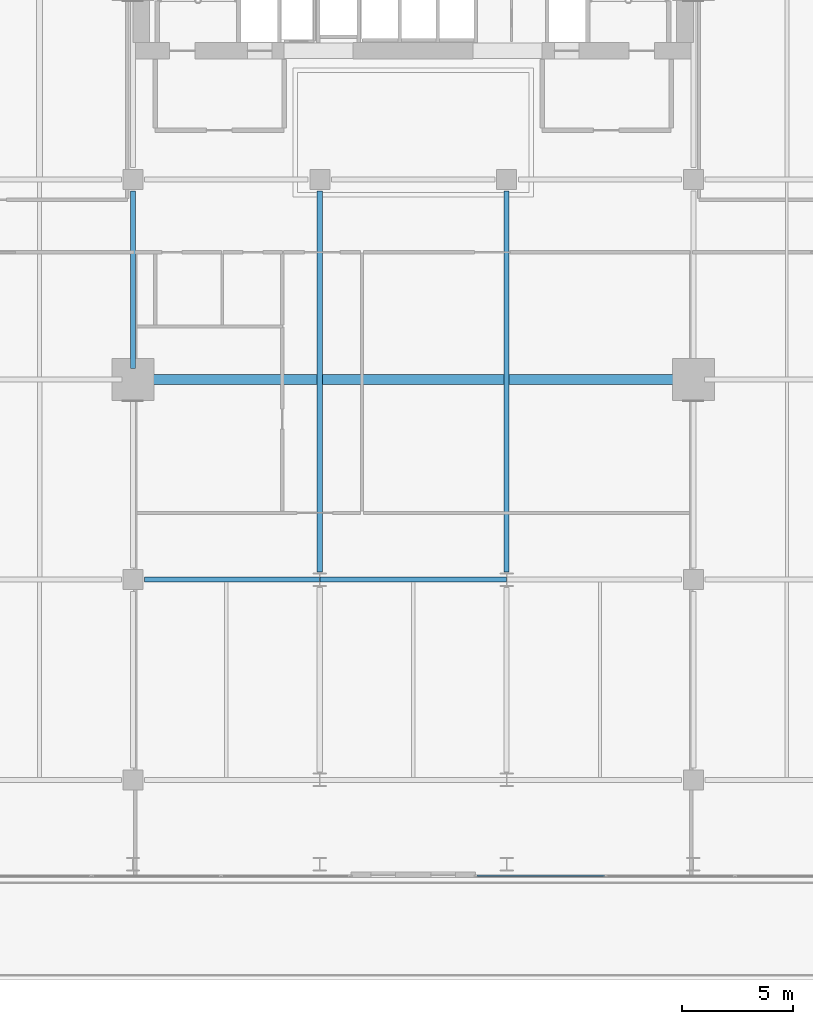
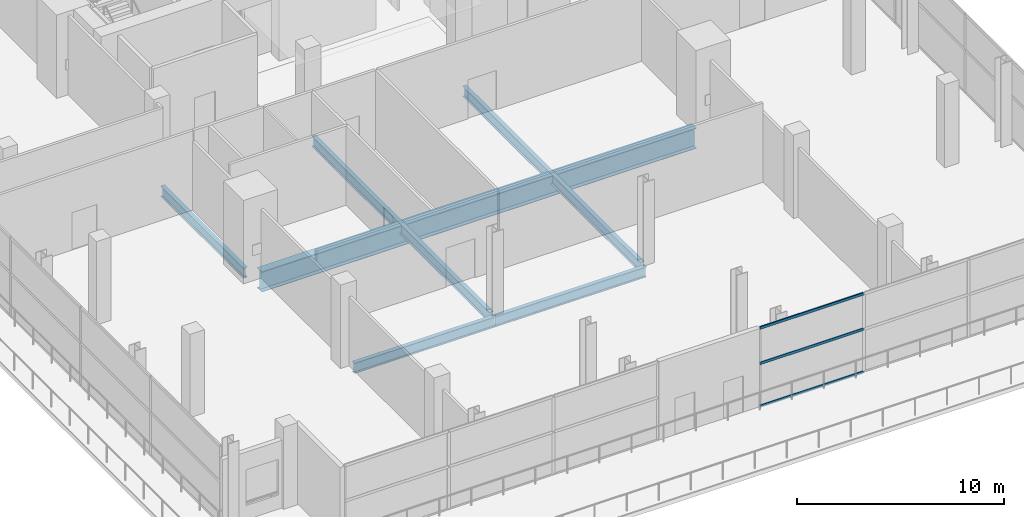
# One storey, part 10 of 31: 6 beams, 3 members, 1 element without a shape of its own.
"""IFC4 building model written with IfcOpenShell, lengths in metres."""

from ifc_helpers import new_model, si_unit, direction, frame, origin, origin_2d, place, context, subcontext, project, spatial, hollow_rectangle, i_section, extrude, material, layer, layer_set, material_profile, profile_set, type_object, element, aggregate, save


model = new_model("IFC4")

# Units and contexts
model_context = context("Model", 3, precision=1e-05, world=origin(), true_north=direction((0.0, 1.0)))
body_context = subcontext(model_context, "Body", "Model", "MODEL_VIEW")
ifc_project = project(units=[si_unit("LENGTHUNIT", "METRE"), si_unit("AREAUNIT", "SQUARE_METRE"), si_unit("VOLUMEUNIT", "CUBIC_METRE"), si_unit("PLANEANGLEUNIT", "RADIAN"), si_unit("MASSUNIT", "GRAM", prefix="KILO")], contexts=[model_context])

# Site, building, storey
site_placement = place(None, origin())
site = spatial("IfcSite", under=ifc_project, at=site_placement, CompositionType="ELEMENT")
building_placement = place(site_placement, origin())
building = spatial("IfcBuilding", under=site, at=building_placement, Name="Maruvema Waterfront Hotel and Observation Tower", CompositionType="ELEMENT")
storey_placement = place(building_placement, frame((0.0, 0.0, 122.5)))
storey = spatial("IfcBuildingStorey", under=building, at=storey_placement, Name="L29", CompositionType="ELEMENT", Elevation=122.5)

# Curtain wall, members
ifc_material_1 = material(Name="Anodised bronze aluminium and solar-control low-E IGU", Category="aluminium")
ifc_layer = layer(ifc_material_1, 0.159912109375, Name="Zone 2 Amber Inner Thermal Curtain Wall System CW-03")
ifc_layer_set = layer_set([ifc_layer], Name="Anodised bronze aluminium and solar-control low-E IGU")
curtain_wall_type = type_object("IfcCurtainWallType", Name="Zone 2 Amber Inner Thermal Curtain Wall System CW-03", PredefinedType="USERDEFINED", material=ifc_layer_set)
curtain_wall_placement = place(storey_placement, origin())
curtain_wall = element("IfcCurtainWall", 1, at=curtain_wall_placement, inside=storey, type_object=curtain_wall_type, Name="L29 Curtain Wall CW-L29-SE", ObjectType="UNITISED CURTAIN WALL", PredefinedType="USERDEFINED")
ifc_material_2 = material(Name="Anodised architectural bronze aluminium", Category="aluminium")
ifc_material_profile_1 = material_profile(ifc_material_2, hollow_rectangle(XDim=0.070068359375, YDim=0.14990234375, WallThickness=0.00390625, at=origin_2d()), Name="ALU-T70x150")
ifc_profile_set_1 = profile_set([ifc_material_profile_1], Name="Anodised architectural bronze aluminium")
member_type = type_object("IfcMemberType", Name="Curtain Wall Horizontal Transom ALU-T70x150", PredefinedType="USERDEFINED", material=ifc_profile_set_1)
member_1_placement = place(storey_placement, frame((40.659912109375, 4.679931640625, 0.030029296875), z_axis=(1.0, 0.0, 0.0), x_axis=(0.0, 1.0, 0.0)))
member_1 = element("IfcMember", 2, at=member_1_placement, type_object=member_type, Name="CW-03 transom 1.1", ObjectType="TRANSOM", PredefinedType="USERDEFINED", context=body_context, shape_type="SweptSolid", body=[
    extrude(hollow_rectangle(XDim=0.070068359375, YDim=0.14990234375, WallThickness=0.00390625, at=origin_2d()), origin(), (0.0, 0.0, 1.0), 5.743408203125),
])
member_2_placement = place(storey_placement, frame((40.659912109375, 4.679931640625, 2.550048828125), z_axis=(1.0, 0.0, 0.0), x_axis=(0.0, 1.0, 0.0)))
member_2 = element("IfcMember", 3, at=member_2_placement, type_object=member_type, Name="CW-03 transom 1.2", ObjectType="TRANSOM", PredefinedType="USERDEFINED", context=body_context, shape_type="SweptSolid", body=[
    extrude(hollow_rectangle(XDim=0.070068359375, YDim=0.14990234375, WallThickness=0.00390625, at=origin_2d()), origin(), (0.0, 0.0, 1.0), 5.743408203125),
])
member_3_placement = place(storey_placement, frame((40.659912109375, 4.679931640625, 4.6298828125), z_axis=(1.0, 0.0, 0.0), x_axis=(0.0, 1.0, 0.0)))
member_3 = element("IfcMember", 4, at=member_3_placement, type_object=member_type, Name="CW-03 transom 1.3", ObjectType="TRANSOM", PredefinedType="USERDEFINED", context=body_context, shape_type="SweptSolid", body=[
    extrude(hollow_rectangle(XDim=0.070068359375, YDim=0.14990234375, WallThickness=0.00390625, at=origin_2d()), origin(), (0.0, 0.0, 1.0), 5.743408203125),
])
aggregate(curtain_wall, [member_1, member_2, member_3])

# Beams
ifc_material_3 = material(Name="Steel ASTM A572 Grade 50", Category="steel")
ifc_material_profile_2 = material_profile(ifc_material_3, i_section(OverallWidth=0.22900390625, OverallDepth=0.612060546875, WebThickness=0.011962890625, FlangeThickness=0.01953125, FilletRadius=0.01806640625, at=origin_2d()), Name="W610x125.0")
ifc_profile_set_2 = profile_set([ifc_material_profile_2], Name="Steel ASTM A572 Grade 50")
beam_type_1 = type_object("IfcBeamType", Name="Primary Floor Girder W610x125.0", PredefinedType="BEAM", material=ifc_profile_set_2)
beam_1_placement = place(storey_placement, frame((25.72509765625, 18.0, -0.5458984375), z_axis=(1.0, 0.0, 0.0), x_axis=(0.0, 1.0, 0.0)))
element("IfcBeam", 5, at=beam_1_placement, inside=storey, type_object=beam_type_1, Name="L29 Floor Girder EW-07", PredefinedType="BEAM", context=body_context, shape_type="SweptSolid", body=[
    extrude(i_section(OverallWidth=0.22900390625, OverallDepth=0.612060546875, WebThickness=0.011962890625, FlangeThickness=0.01953125, FilletRadius=0.01806640625, at=origin_2d()), origin(), (0.0, 0.0, 1.0), 7.86083984375),
])
beam_2_placement = place(storey_placement, frame((33.614013671875, 18.0, -0.5458984375), z_axis=(1.0, 0.0, 0.0), x_axis=(0.0, 1.0, 0.0)))
element("IfcBeam", 6, at=beam_2_placement, inside=storey, type_object=beam_type_1, Name="L29 Floor Girder EW-08", PredefinedType="BEAM", context=body_context, shape_type="SweptSolid", body=[
    extrude(i_section(OverallWidth=0.22900390625, OverallDepth=0.612060546875, WebThickness=0.011962890625, FlangeThickness=0.01953125, FilletRadius=0.01806640625, at=origin_2d()), origin(), (0.0, 0.0, 1.0), 8.3720703125),
])
beam_3_placement = place(storey_placement, frame((25.199951171875, 27.5, -0.5458984375), z_axis=(0.0, 1.0, 0.0), x_axis=(-1.0, 0.0, 0.0)))
element("IfcBeam", 7, at=beam_3_placement, inside=storey, type_object=beam_type_1, Name="L29 Floor Girder NS-07", PredefinedType="BEAM", context=body_context, shape_type="SweptSolid", body=[
    extrude(i_section(OverallWidth=0.22900390625, OverallDepth=0.612060546875, WebThickness=0.011962890625, FlangeThickness=0.01953125, FilletRadius=0.01806640625, at=origin_2d()), origin(), (0.0, 0.0, 1.0), 7.97509765625),
])
for number, where, z_axis, x_axis, name in (
    (8, (33.60009765625, 18.35009765625, -0.5458984375), (0.0, 1.0, 0.0), (-1.0, 0.0, 0.0), "L29 Floor Girder NS-10"),
    (9, (42.0, 18.35009765625, -0.5458984375), (0.0, 1.0, 0.0), (-1.0, 0.0, 0.0), "L29 Floor Girder NS-12"),
):
    element("IfcBeam", number, at=place(storey_placement, frame(where, z_axis=z_axis, x_axis=x_axis)), inside=storey, type_object=beam_type_1, Name=name, PredefinedType="BEAM", context=body_context, shape_type="SweptSolid", body=[
        extrude(i_section(OverallWidth=0.22900390625, OverallDepth=0.612060546875, WebThickness=0.011962890625, FlangeThickness=0.01953125, FilletRadius=0.01806640625, at=origin_2d()), origin(), (0.0, 0.0, 1.0), 17.125),
    ])
ifc_material_4 = material(Name="Steel ABNT NBR 7007 AR 415 (ASTM A572 Grade 50)", Category="steel")
ifc_material_profile_3 = material_profile(ifc_material_4, i_section(OverallWidth=0.449951171875, OverallDepth=1.199951171875, WebThickness=0.01904296875, FlangeThickness=0.031982421875, at=origin_2d()), Name="VS1200x366")
ifc_profile_set_3 = profile_set([ifc_material_profile_3], Name="Steel ABNT NBR 7007 AR 415 (ASTM A572 Grade 50)")
beam_type_2 = type_object("IfcBeamType", Name="Upper Setback Transfer Girder VS1200x366", PredefinedType="USERDEFINED", material=ifc_profile_set_3)
beam_4_placement = place(storey_placement, frame((25.699951171875, 27.0, -0.840087890625), z_axis=(1.0, 0.0, 0.0), x_axis=(0.0, 1.0, 0.0)))
element("IfcBeam", 10, at=beam_4_placement, inside=storey, type_object=beam_type_2, Name="L29 Floor Girder EW-12", ObjectType="TRANSFER GIRDER", PredefinedType="USERDEFINED", context=body_context, shape_type="SweptSolid", body=[
    extrude(i_section(OverallWidth=0.449951171875, OverallDepth=1.199951171875, WebThickness=0.01904296875, FlangeThickness=0.031982421875, at=origin_2d()), origin(), (0.0, 0.0, 1.0), 24.199951171875),
])

save(model, "model.ifc")
